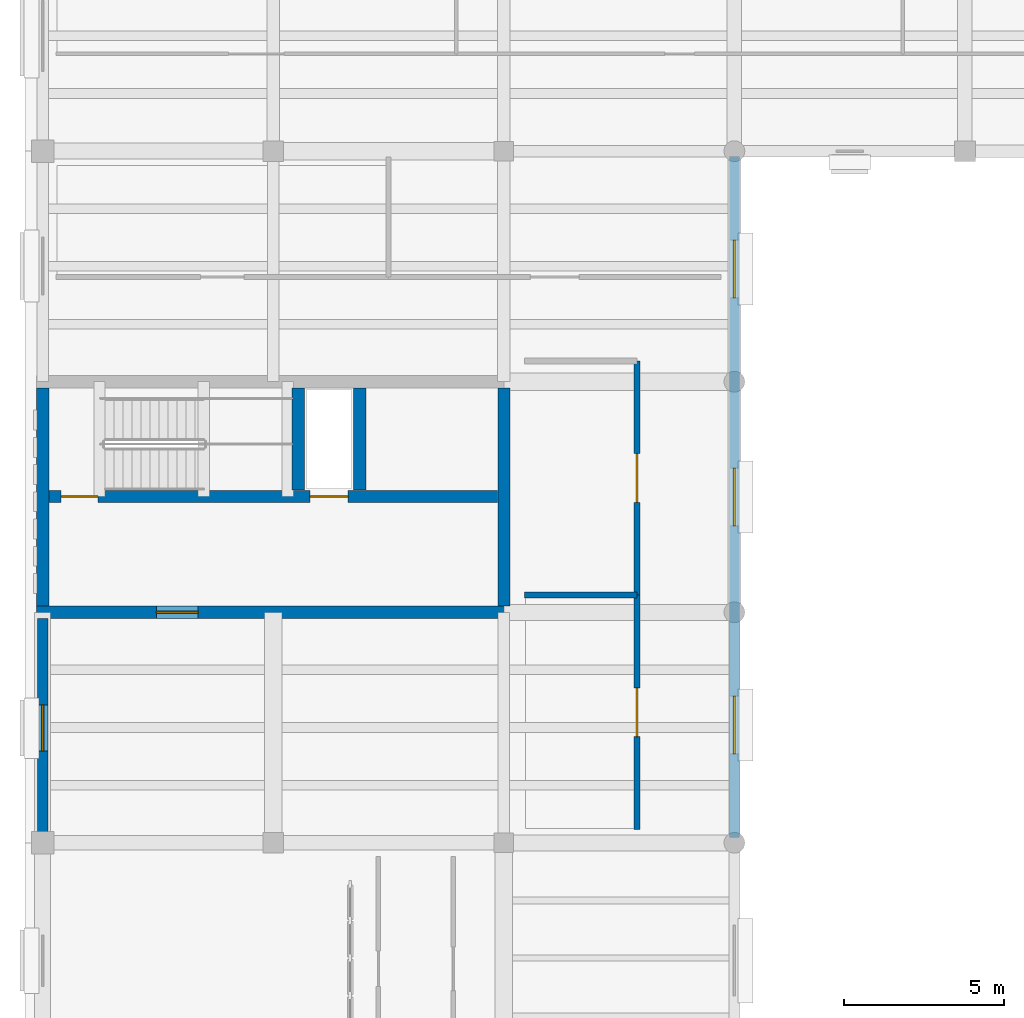
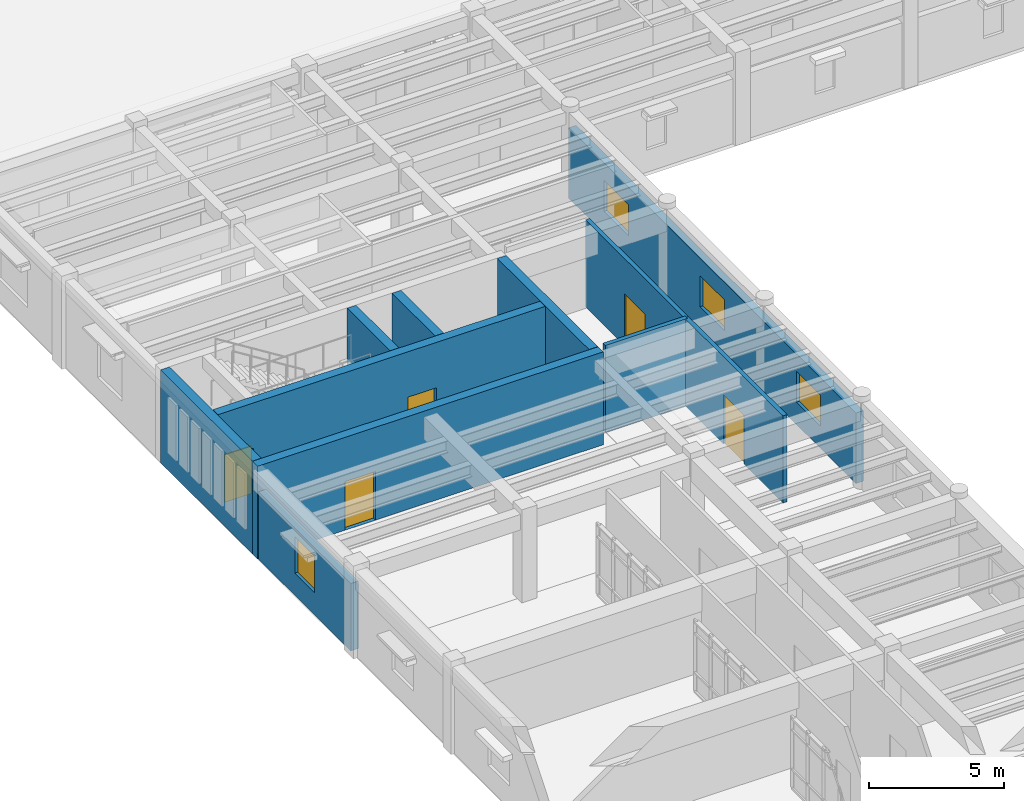
# One storey, part 39 of 66: 11 walls, 5 doors, 4 windows, 9 openings.
"""IFC4 building model written with IfcOpenShell, lengths in metres."""

from ifc_helpers import new_model, si_unit, direction, frame, frame_2d, origin, place, context, subcontext, project, spatial, rectangle, extrude, material, layer, layer_set, type_object, element, fill, save


model = new_model("IFC4")

# Units and contexts
model_context = context("Model", 3, precision=1e-05, world=origin(), true_north=direction((0.0, 1.0)))
body_context = subcontext(model_context, "Body", "Model", "MODEL_VIEW")
ifc_project = project(units=[si_unit("LENGTHUNIT", "METRE"), si_unit("AREAUNIT", "SQUARE_METRE"), si_unit("VOLUMEUNIT", "CUBIC_METRE"), si_unit("PLANEANGLEUNIT", "RADIAN"), si_unit("MASSUNIT", "GRAM", prefix="KILO")], contexts=[model_context])

# Site, building, storey
site_placement = place(None, origin())
site = spatial("IfcSite", under=ifc_project, at=site_placement, CompositionType="ELEMENT")
building_placement = place(site_placement, origin())
building = spatial("IfcBuilding", under=site, at=building_placement, Name="Mithqara Police Headquarters", CompositionType="ELEMENT")
storey_placement = place(building_placement, frame((0.0, 0.0, 9.60009765625)))
storey = spatial("IfcBuildingStorey", under=building, at=storey_placement, Name="L02", CompositionType="ELEMENT", Elevation=9.60009765625)

# Wall, opening, window
ifc_material_1 = material(Name="Limestone ashlar masonry, 45 MPa", Category="masonry")
ifc_layer_1 = layer(ifc_material_1, 0.320068359375, Name="Limestone ashlar masonry, 45 MPa")
ifc_layer_set_1 = layer_set([ifc_layer_1], Name="Limestone ashlar masonry, 45 MPa")
wall_type_1 = type_object("IfcWallType", Name="EXT WALL LIMESTONE320", PredefinedType="SOLIDWALL", material=ifc_layer_set_1)
wall_1_placement = place(storey_placement, frame((7.800048828125, 64.010009765625, 0.0), z_axis=(0.0, 0.0, 1.0), x_axis=(0.0, -1.0, 0.0)))
wall_1 = element("IfcWall", 1, at=wall_1_placement, inside=storey, type_object=wall_type_1, Name="L02 Exterior Wall 14.2", PredefinedType="SOLIDWALL", context=body_context, shape_type="SweptSolid", body=[
    extrude(rectangle(XDim=6.85009765625, YDim=0.320068359375, at=frame_2d((3.425048828125, 0.0))), origin(), (0.0, 0.0, 1.0), 3.039794921875),
])
opening_1_placement = place(wall_1_placement, frame((2.699951171875, 0.0, 1.0)))
opening_1 = element("IfcOpeningElement", 2, at=opening_1_placement, cuts=wall_1, Name="Opening W-22", PredefinedType="OPENING", context=body_context, shape_type="SweptSolid", body=[
    extrude(rectangle(XDim=1.449951171875, YDim=1.64990234375, at=frame_2d((0.72509765625, 0.824951171875))), frame((0.0, 0.169921875, 0.0), z_axis=(0.0, -1.0, 0.0), x_axis=(1.0, 0.0, 0.0)), (0.0, 0.0, 1.0), 0.340087890625),
])
ifc_material_2 = material(Name="Spectrally selective double low-e glass", Category="glass")
window_type_1 = type_object("IfcWindowType", Name="WINDOW 1450X1650", PartitioningType="SINGLE_PANEL", PredefinedType="WINDOW", material=ifc_material_2)
window_1_placement = place(opening_1_placement, origin())
window_1 = element("IfcWindow", 3, at=window_1_placement, inside=storey, type_object=window_type_1, Name="L02 Deep-Set Punched Window 14.1", OverallHeight=1.64990234375, OverallWidth=1.449951171875, PartitioningType="SINGLE_PANEL", PredefinedType="WINDOW", context=body_context, shape_type="SweptSolid", body=[
    extrude(rectangle(XDim=1.449951171875, YDim=1.64990234375, at=frame_2d((0.72509765625, 0.824951171875))), frame((0.0, 0.030029296875, 0.0), z_axis=(0.0, -1.0, 0.0), x_axis=(1.0, 0.0, 0.0)), (0.0, 0.0, 1.0), 0.06005859375),
])
fill(opening_1, window_1)

# Wall, openings, windows
wall_2_placement = place(storey_placement, frame((29.39990234375, 57.159912109375, 0.0), z_axis=(0.0, 0.0, 1.0), x_axis=(0.0, 1.0, 0.0)))
wall_2 = element("IfcWall", 4, at=wall_2_placement, inside=storey, type_object=wall_type_1, Name="L02 Exterior Wall 2.1", PredefinedType="SOLIDWALL", context=body_context, shape_type="SweptSolid", body=[
    extrude(rectangle(XDim=21.280029296875, YDim=0.320068359375, at=frame_2d((10.64013671875, 0.0))), origin(), (0.0, 0.0, 1.0), 3.18994140625),
])
opening_2_placement = place(wall_2_placement, frame((2.6201171875, 0.0, 1.0)))
opening_2 = element("IfcOpeningElement", 5, at=opening_2_placement, cuts=wall_2, Name="Opening W-31", PredefinedType="OPENING", context=body_context, shape_type="SweptSolid", body=[
    extrude(rectangle(XDim=1.800048828125, YDim=1.39990234375, at=frame_2d((0.89990234375, 0.699951171875))), frame((0.0, 0.169921875, 0.0), z_axis=(0.0, -1.0, 0.0), x_axis=(1.0, 0.0, 0.0)), (0.0, 0.0, 1.0), 0.340087890625),
])
opening_3_placement = place(wall_2_placement, frame((9.739990234375, 0.0, 1.0)))
opening_3 = element("IfcOpeningElement", 6, at=opening_3_placement, cuts=wall_2, Name="Opening W-31", PredefinedType="OPENING", context=body_context, shape_type="SweptSolid", body=[
    extrude(rectangle(XDim=1.800048828125, YDim=1.39990234375, at=frame_2d((0.89990234375, 0.699951171875))), frame((0.0, 0.169921875, 0.0), z_axis=(0.0, -1.0, 0.0), x_axis=(1.0, 0.0, 0.0)), (0.0, 0.0, 1.0), 0.340087890625),
])
opening_4_placement = place(wall_2_placement, frame((16.860107421875, 0.0, 1.0)))
opening_4 = element("IfcOpeningElement", 7, at=opening_4_placement, cuts=wall_2, Name="Opening W-31", PredefinedType="OPENING", context=body_context, shape_type="SweptSolid", body=[
    extrude(rectangle(XDim=1.800048828125, YDim=1.39990234375, at=frame_2d((0.89990234375, 0.699951171875))), frame((0.0, 0.169921875, 0.0), z_axis=(0.0, -1.0, 0.0), x_axis=(1.0, 0.0, 0.0)), (0.0, 0.0, 1.0), 0.340087890625),
])
window_type_2 = type_object("IfcWindowType", Name="WINDOW 1800X1400", PartitioningType="DOUBLE_PANEL_VERTICAL", PredefinedType="WINDOW", material=ifc_material_2)
window_2_placement = place(opening_2_placement, origin())
window_2 = element("IfcWindow", 8, at=window_2_placement, inside=storey, type_object=window_type_2, Name="L02 Deep-Set Punched Window 2.1", OverallHeight=1.39990234375, OverallWidth=1.800048828125, PartitioningType="SINGLE_PANEL", PredefinedType="WINDOW", context=body_context, shape_type="SweptSolid", body=[
    extrude(rectangle(XDim=1.800048828125, YDim=1.39990234375, at=frame_2d((0.89990234375, 0.699951171875))), frame((0.0, 0.030029296875, 0.0), z_axis=(0.0, -1.0, 0.0), x_axis=(1.0, 0.0, 0.0)), (0.0, 0.0, 1.0), 0.06005859375),
])
fill(opening_2, window_2)
window_3_placement = place(opening_3_placement, origin())
window_3 = element("IfcWindow", 9, at=window_3_placement, inside=storey, type_object=window_type_2, Name="L02 Deep-Set Punched Window 2.2", OverallHeight=1.39990234375, OverallWidth=1.800048828125, PartitioningType="SINGLE_PANEL", PredefinedType="WINDOW", context=body_context, shape_type="SweptSolid", body=[
    extrude(rectangle(XDim=1.800048828125, YDim=1.39990234375, at=frame_2d((0.89990234375, 0.699951171875))), frame((0.0, 0.030029296875, 0.0), z_axis=(0.0, -1.0, 0.0), x_axis=(1.0, 0.0, 0.0)), (0.0, 0.0, 1.0), 0.06005859375),
])
fill(opening_3, window_3)
window_4_placement = place(opening_4_placement, origin())
window_4 = element("IfcWindow", 10, at=window_4_placement, inside=storey, type_object=window_type_2, Name="L02 Deep-Set Punched Window 2.3", OverallHeight=1.39990234375, OverallWidth=1.800048828125, PartitioningType="SINGLE_PANEL", PredefinedType="WINDOW", context=body_context, shape_type="SweptSolid", body=[
    extrude(rectangle(XDim=1.800048828125, YDim=1.39990234375, at=frame_2d((0.89990234375, 0.699951171875))), frame((0.0, 0.030029296875, 0.0), z_axis=(0.0, -1.0, 0.0), x_axis=(1.0, 0.0, 0.0)), (0.0, 0.0, 1.0), 0.06005859375),
])
fill(opening_4, window_4)

# Wall, opening, door
ifc_material_3 = material(Name="Concrete C40/50", Category="concrete")
ifc_layer_2 = layer(ifc_material_3, 0.179931640625, Name="Concrete C40/50")
ifc_layer_set_2 = layer_set([ifc_layer_2], Name="Concrete C40/50")
wall_type_2 = type_object("IfcWallType", Name="PART WALL 180", PredefinedType="PARTITIONING", material=ifc_layer_set_2)
wall_3_placement = place(storey_placement, frame((26.360107421875, 57.419921875, 0.0), z_axis=(0.0, 0.0, 1.0), x_axis=(0.0, 1.0, 0.0)))
wall_3 = element("IfcWall", 11, at=wall_3_placement, inside=storey, type_object=wall_type_2, Name="L02 Corridor Wall Traffic Investigation Division", PredefinedType="PARTITIONING", context=body_context, shape_type="SweptSolid", body=[
    extrude(rectangle(XDim=7.315185546875, YDim=0.179931640625, at=frame_2d((3.65771484375, 0.0))), origin(), (0.0, 0.0, 1.0), 3.93994140625),
])
opening_5_placement = place(wall_3_placement, frame((2.8974609375, 0.0, 0.0)))
opening_5 = element("IfcOpeningElement", 12, at=opening_5_placement, cuts=wall_3, Name="Opening D-20", PredefinedType="OPENING", context=body_context, shape_type="SweptSolid", body=[
    extrude(rectangle(XDim=1.52001953125, YDim=2.219970703125, at=frame_2d((0.760009765625, 1.10986328125))), frame((0.0, 0.10009765625, 0.0), z_axis=(0.0, -1.0, 0.0), x_axis=(1.0, 0.0, 0.0)), (0.0, 0.0, 1.0), 0.199951171875),
])
ifc_material_4 = material(Name="Bronze anodised aluminium 6063-T6", Category="aluminium")
door_type_1 = type_object("IfcDoorType", Name="INT DOOR 1520X2220", OperationType="NOTDEFINED", PredefinedType="DOOR", material=ifc_material_4)
door_1_placement = place(opening_5_placement, frame((1.52001953125, 0.0, 0.0), z_axis=(0.0, 0.0, 1.0), x_axis=(-1.0, 0.0, 0.0)))
door_1 = element("IfcDoor", 13, at=door_1_placement, inside=storey, type_object=door_type_1, Name="Traffic Investigation Division Entry Door", OperationType="DOUBLE_DOOR_SINGLE_SWING", OverallHeight=2.219970703125, OverallWidth=1.52001953125, PredefinedType="DOOR", context=body_context, shape_type="SweptSolid", body=[
    extrude(rectangle(XDim=1.52001953125, YDim=2.219970703125, at=frame_2d((0.760009765625, 1.10986328125))), frame((0.0, 0.02490234375, 0.0), z_axis=(0.0, -1.0, 0.0), x_axis=(1.0, 0.0, 0.0)), (0.0, 0.0, 1.0), 0.050048828125),
])
fill(opening_5, door_1)

# Wall
wall_4_placement = place(storey_placement, frame((22.85009765625, 64.735107421875, 0.0), z_axis=(0.0, 0.0, 1.0), x_axis=(1.0, 0.0, 0.0)))
element("IfcWall", 14, at=wall_4_placement, inside=storey, type_object=wall_type_2, Name="L02 Room Partition Traffic Investigation Division", PredefinedType="PARTITIONING", context=body_context, shape_type="SweptSolid", body=[
    extrude(rectangle(XDim=3.510009765625, YDim=0.179931640625, at=frame_2d((1.7548828125, 0.0))), origin(), (0.0, 0.0, 1.0), 3.93994140625),
])

# Wall, opening, door
wall_5_placement = place(storey_placement, frame((26.360107421875, 64.735107421875, 0.0), z_axis=(0.0, 0.0, 1.0), x_axis=(0.0, 1.0, 0.0)))
wall_5 = element("IfcWall", 15, at=wall_5_placement, inside=storey, type_object=wall_type_2, Name="L02 Corridor Wall Traffic Incident Analysis Room", PredefinedType="PARTITIONING", context=body_context, shape_type="SweptSolid", body=[
    extrude(rectangle(XDim=7.31494140625, YDim=0.179931640625, at=frame_2d((3.657470703125, 0.0))), origin(), (0.0, 0.0, 1.0), 3.93994140625),
])
opening_6_placement = place(wall_5_placement, frame((2.8974609375, 0.0, 0.0)))
opening_6 = element("IfcOpeningElement", 16, at=opening_6_placement, cuts=wall_5, Name="Opening D-21", PredefinedType="OPENING", context=body_context, shape_type="SweptSolid", body=[
    extrude(rectangle(XDim=1.52001953125, YDim=2.35009765625, at=frame_2d((0.760009765625, 1.175048828125))), frame((0.0, 0.10009765625, 0.0), z_axis=(0.0, -1.0, 0.0), x_axis=(1.0, 0.0, 0.0)), (0.0, 0.0, 1.0), 0.199951171875),
])
door_type_2 = type_object("IfcDoorType", Name="INT DOOR 1520X2350", OperationType="NOTDEFINED", PredefinedType="DOOR", material=ifc_material_4)
door_2_placement = place(opening_6_placement, frame((1.52001953125, 0.0, 0.0), z_axis=(0.0, 0.0, 1.0), x_axis=(-1.0, 0.0, 0.0)))
door_2 = element("IfcDoor", 17, at=door_2_placement, inside=storey, type_object=door_type_2, Name="Traffic Incident Analysis Room Entry Door", OperationType="DOUBLE_DOOR_SINGLE_SWING", OverallHeight=2.35009765625, OverallWidth=1.52001953125, PredefinedType="DOOR", context=body_context, shape_type="SweptSolid", body=[
    extrude(rectangle(XDim=1.52001953125, YDim=2.35009765625, at=frame_2d((0.760009765625, 1.175048828125))), frame((0.0, 0.02490234375, 0.0), z_axis=(0.0, -1.0, 0.0), x_axis=(1.0, 0.0, 0.0)), (0.0, 0.0, 1.0), 0.050048828125),
])
fill(opening_6, door_2)

ifc_material_5 = material(Name="Concrete C50/60", Category="concrete")
ifc_layer_3 = layer(ifc_material_5, 0.3798828125, Name="Concrete C50/60")
ifc_layer_set_3 = layer_set([ifc_layer_3], Name="Concrete C50/60")
wall_type_3 = type_object("IfcWallType", Name="SHEAR WALL 380", PredefinedType="SHEAR", material=ifc_layer_set_3)
wall_6_placement = place(storey_placement, frame((7.610107421875, 64.199951171875, 0.0), z_axis=(0.0, 0.0, 1.0), x_axis=(1.0, 0.0, 0.0)))
wall_6 = element("IfcWall", 18, at=wall_6_placement, inside=storey, type_object=wall_type_3, Name="Core C3 Operations West Shear Wall S", PredefinedType="SHEAR", context=body_context, shape_type="SweptSolid", body=[
    extrude(rectangle(XDim=14.77978515625, YDim=0.3798828125, at=frame_2d((7.389892578125, 0.0))), origin(), (0.0, 0.0, 1.0), 4.199951171875),
])
opening_7_placement = place(wall_6_placement, frame((3.739990234375, 0.0, 0.0)))
opening_7 = element("IfcOpeningElement", 19, at=opening_7_placement, cuts=wall_6, Name="Opening FD-02", PredefinedType="OPENING", context=body_context, shape_type="SweptSolid", body=[
    extrude(rectangle(XDim=1.300048828125, YDim=2.199951171875, at=frame_2d((0.64990234375, 1.10009765625))), frame((0.0, 0.199951171875, 0.0), z_axis=(0.0, -1.0, 0.0), x_axis=(1.0, 0.0, 0.0)), (0.0, 0.0, 1.0), 0.39990234375),
])
ifc_material_6 = material(Name="Steel S355JR", Category="steel")
door_type_3 = type_object("IfcDoorType", Name="CORE DOOR LOBBY 1300X2200", OperationType="NOTDEFINED", PredefinedType="DOOR", material=ifc_material_6)
door_3_placement = place(opening_7_placement, frame((1.300048828125, 0.0, 0.0), z_axis=(0.0, 0.0, 1.0), x_axis=(-1.0, 0.0, 0.0)))
door_3 = element("IfcDoor", 20, at=door_3_placement, inside=storey, type_object=door_type_3, Name="Core C3 Operations West Lobby Fire Door L02", OperationType="SINGLE_SWING_LEFT", OverallHeight=2.199951171875, OverallWidth=1.300048828125, PredefinedType="DOOR", context=body_context, shape_type="SweptSolid", body=[
    extrude(rectangle(XDim=1.300048828125, YDim=2.199951171875, at=frame_2d((0.64990234375, 1.10009765625))), frame((0.0, 0.02490234375, 0.0), z_axis=(0.0, -1.0, 0.0), x_axis=(1.0, 0.0, 0.0)), (0.0, 0.0, 1.0), 0.050048828125),
])
fill(opening_7, door_3)

# Walls
for number, where, z_axis, x_axis, name in (
    (21, (7.800048828125, 64.39990234375, 0.0), (0.0, 0.0, 1.0), (0.0, 1.0, 0.0), "Core C3 Operations West Shear Wall W"),
    (22, (22.199951171875, 64.39990234375, 0.0), (0.0, 0.0, 1.0), (0.0, 1.0, 0.0), "Core C3 Operations West Shear Wall E"),
):
    element("IfcWall", number, at=place(storey_placement, frame(where, z_axis=z_axis, x_axis=x_axis)), inside=storey, type_object=wall_type_3, Name=name, PredefinedType="SHEAR", context=body_context, shape_type="SweptSolid", body=[
        extrude(rectangle(XDim=6.800048828125, YDim=0.3798828125, at=frame_2d((3.39990234375, 0.0))), origin(), (0.0, 0.0, 1.0), 4.199951171875),
    ])

# Wall, openings, doors
wall_7_placement = place(storey_placement, frame((8.0, 67.820068359375, 0.0), z_axis=(0.0, 0.0, 1.0), x_axis=(1.0, 0.0, 0.0)))
wall_7 = element("IfcWall", 23, at=wall_7_placement, inside=storey, type_object=wall_type_3, Name="Core C3 Operations West Shear Wall M", PredefinedType="SHEAR", context=body_context, shape_type="SweptSolid", body=[
    extrude(rectangle(XDim=14.0, YDim=0.3798828125, at=frame_2d((7.0, 0.0))), origin(), (0.0, 0.0, 1.0), 4.199951171875),
])
opening_8_placement = place(wall_7_placement, frame((8.139892578125, 0.0, 0.0)))
opening_8 = element("IfcOpeningElement", 24, at=opening_8_placement, cuts=wall_7, Name="Opening LD-02", PredefinedType="OPENING", context=body_context, shape_type="SweptSolid", body=[
    extrude(rectangle(XDim=1.199951171875, YDim=2.14990234375, at=frame_2d((0.60009765625, 1.074951171875))), frame((0.0, 0.199951171875, 0.0), z_axis=(0.0, -1.0, 0.0), x_axis=(1.0, 0.0, 0.0)), (0.0, 0.0, 1.0), 0.39990234375),
])
opening_9_placement = place(wall_7_placement, frame((0.375, 0.0, 0.0)))
opening_9 = element("IfcOpeningElement", 25, at=opening_9_placement, cuts=wall_7, Name="Opening FD-01", PredefinedType="OPENING", context=body_context, shape_type="SweptSolid", body=[
    extrude(rectangle(XDim=1.14990234375, YDim=2.14990234375, at=frame_2d((0.574951171875, 1.074951171875))), frame((0.0, 0.199951171875, 0.0), z_axis=(0.0, -1.0, 0.0), x_axis=(1.0, 0.0, 0.0)), (0.0, 0.0, 1.0), 0.39990234375),
])
door_type_4 = type_object("IfcDoorType", Name="CORE DOOR STAIR 1150X2150", OperationType="NOTDEFINED", PredefinedType="DOOR", material=ifc_material_6)
door_4_placement = place(opening_9_placement, origin())
door_4 = element("IfcDoor", 26, at=door_4_placement, inside=storey, type_object=door_type_4, Name="Stair ST-03 Fire Door L02", OperationType="SINGLE_SWING_LEFT", OverallHeight=2.14990234375, OverallWidth=1.14990234375, PredefinedType="DOOR", context=body_context, shape_type="SweptSolid", body=[
    extrude(rectangle(XDim=1.14990234375, YDim=2.14990234375, at=frame_2d((0.574951171875, 1.074951171875))), frame((0.0, 0.02490234375, 0.0), z_axis=(0.0, -1.0, 0.0), x_axis=(1.0, 0.0, 0.0)), (0.0, 0.0, 1.0), 0.050048828125),
])
fill(opening_9, door_4)
door_type_5 = type_object("IfcDoorType", Name="LIFT DOOR 1200X2150", OperationType="DOUBLE_DOOR_SLIDING", PredefinedType="DOOR", material=ifc_material_6)
door_5_placement = place(opening_8_placement, frame((1.199951171875, 0.0, 0.0), z_axis=(0.0, 0.0, 1.0), x_axis=(-1.0, 0.0, 0.0)))
door_5 = element("IfcDoor", 27, at=door_5_placement, inside=storey, type_object=door_type_5, Name="Lift Landing Door LP-05-L02", OperationType="DOUBLE_DOOR_SLIDING", OverallHeight=2.14990234375, OverallWidth=1.199951171875, PredefinedType="DOOR", context=body_context, shape_type="SweptSolid", body=[
    extrude(rectangle(XDim=1.199951171875, YDim=2.14990234375, at=frame_2d((0.60009765625, 1.074951171875))), frame((0.0, 0.02490234375, 0.0), z_axis=(0.0, -1.0, 0.0), x_axis=(1.0, 0.0, 0.0)), (0.0, 0.0, 1.0), 0.050048828125),
])
fill(opening_8, door_5)

# Walls
for number, where, z_axis, x_axis, name in (
    (28, (15.780029296875, 68.02001953125, 0.0), (0.0, 0.0, 1.0), (0.0, 1.0, 0.0), "Core C3 Operations West Shear Wall X"),
    (29, (17.699951171875, 68.02001953125, 0.0), (0.0, 0.0, 1.0), (0.0, 1.0, 0.0), "Core C3 Operations West Shear Wall L1"),
):
    element("IfcWall", number, at=place(storey_placement, frame(where, z_axis=z_axis, x_axis=x_axis)), inside=storey, type_object=wall_type_3, Name=name, PredefinedType="SHEAR", context=body_context, shape_type="SweptSolid", body=[
        extrude(rectangle(XDim=3.179931640625, YDim=0.3798828125, at=frame_2d((1.58984375, 0.0))), origin(), (0.0, 0.0, 1.0), 4.199951171875),
    ])

save(model, "model.ifc")
